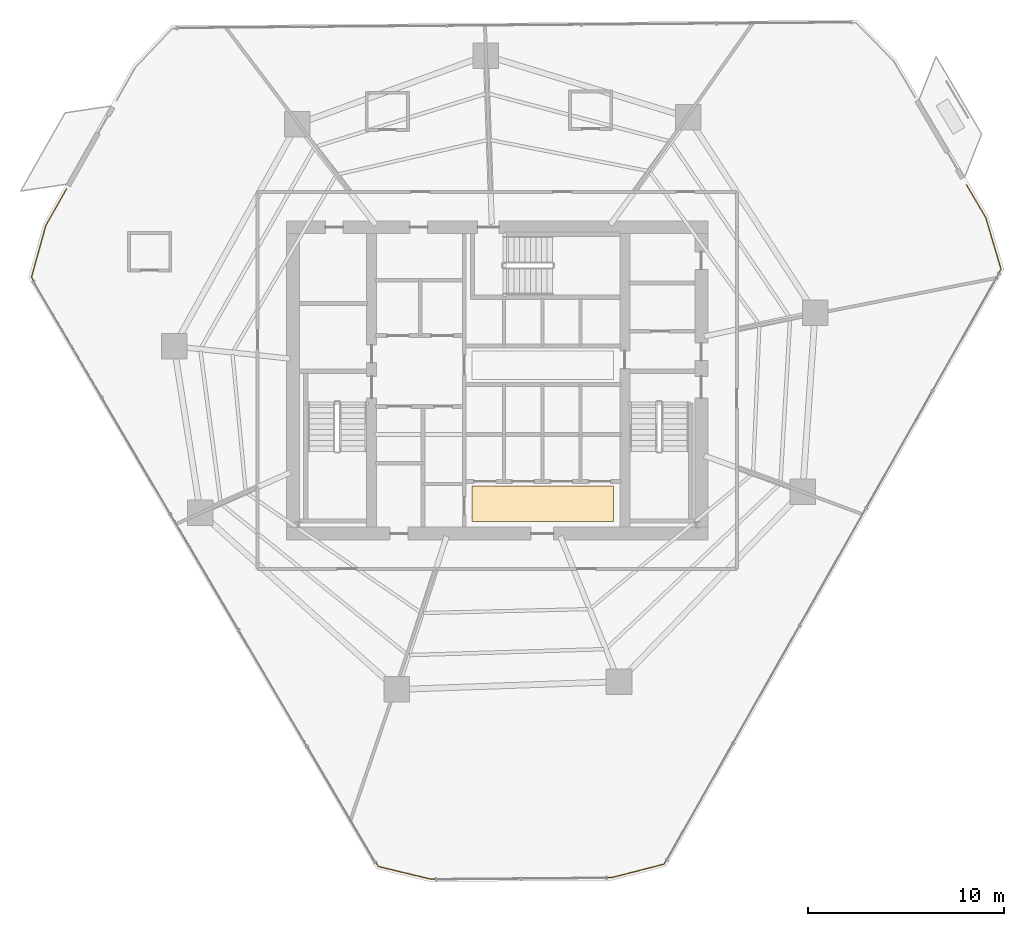
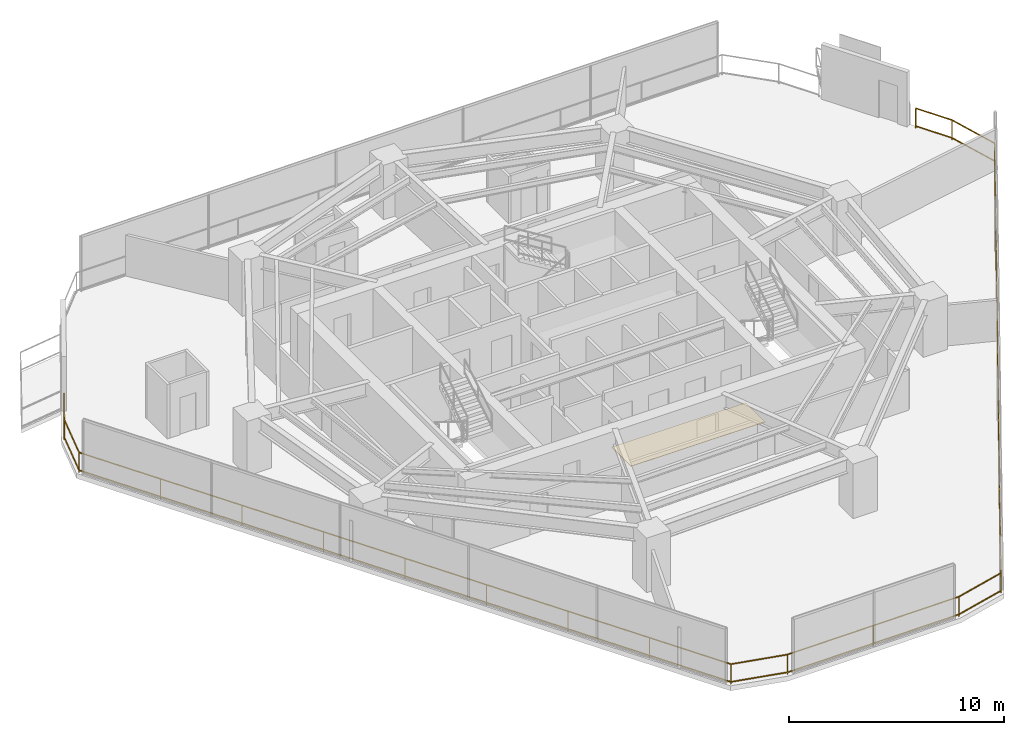
# One storey, part 29 of 31: 1 covering, 1 railing.
"""IFC4 building model written with IfcOpenShell, lengths in metres."""

import ifcopenshell
import ifcopenshell.guid

model = None  # the IFC model being written
_history = None  # IfcOwnerHistory: only IFC2X3 demands one
_inside = {}  # id of a spatial element -> (the spatial element, [elements in it])
_under = {}  # id of a project, library or spatial element -> (it, [spatial elements below it])
_declared = {}  # id of a project -> (the project, [libraries it declares])
_typed = {}  # id of a type object -> (the type object, [elements of that type])
_made_of = {}  # id of a material, layer set ... -> (it, [elements and type objects made of it])


def new_model(schema):
    """Start an empty IFC model of exactly this schema.

    Asked for "IFC4X3", IfcOpenShell would pick the latest addendum, in which some entities
    have other attributes; the version numbers below select the first issue.
    IFC2X3 requires an IfcOwnerHistory on every rooted entity: one is made here for all.
    """
    global model, _history
    if schema == "IFC4X3":
        model = ifcopenshell.file(schema_version=(4, 3, 0, 0))
    else:
        model = ifcopenshell.file(schema=schema)
    _inside.clear()
    _under.clear()
    _declared.clear()
    _typed.clear()
    _made_of.clear()
    _history = None
    if model.schema == "IFC2X3":
        org = make("IfcOrganization", Name="unknown")
        user = make(
            "IfcPersonAndOrganization",
            ThePerson=make("IfcPerson", FamilyName="unknown"),
            TheOrganization=org,
        )
        app = make(
            "IfcApplication",
            ApplicationDeveloper=org,
            Version="unknown",
            ApplicationFullName="unknown",
            ApplicationIdentifier="unknown",
        )
        _history = make(
            "IfcOwnerHistory",
            OwningUser=user,
            OwningApplication=app,
            ChangeAction="ADDED",
            CreationDate=0,
        )
    return model


def make(cls, **values):
    """One entity of the class cls with the attributes given. An attribute that is None is left unset."""
    return model.create_entity(
        cls, **{name: value for name, value in values.items() if value is not None}
    )


def rooted(cls, **values):
    """An entity with a GlobalId (a new one), such as an element, a storey or a relation."""
    return make(cls, GlobalId=ifcopenshell.guid.new(), OwnerHistory=_history, **values)


def si_unit(unit_type, name, prefix=None):
    """IfcSIUnit, for example si_unit("LENGTHUNIT", "METRE", prefix="MILLI")."""
    return make("IfcSIUnit", UnitType=unit_type, Prefix=prefix, Name=name)


def assignment(units):
    """IfcUnitAssignment: the units of a project."""
    return None if units is None else make("IfcUnitAssignment", Units=units)


def point(xyz):
    """IfcCartesianPoint."""
    return None if xyz is None else make("IfcCartesianPoint", Coordinates=xyz)


def direction(xyz):
    """IfcDirection."""
    return None if xyz is None else make("IfcDirection", DirectionRatios=xyz)


def frame(location, z_axis=None, x_axis=None):
    """IfcAxis2Placement3D, a coordinate frame: its origin and axes. An axis left out is left unset."""
    return make(
        "IfcAxis2Placement3D",
        Location=point(location),
        Axis=direction(z_axis),
        RefDirection=direction(x_axis),
    )


def frame_2d(location, x_axis=None):
    """IfcAxis2Placement2D, a coordinate frame in the plane: its origin and x axis."""
    return make(
        "IfcAxis2Placement2D", Location=point(location), RefDirection=direction(x_axis)
    )


def origin():
    """The frame at (0, 0, 0) with its axes left unset."""
    return frame((0.0, 0.0, 0.0))


def origin_2d():
    """The frame at (0, 0) in the plane with its x axis left unset."""
    return frame_2d((0.0, 0.0))


def place(relative_to, where):
    """IfcLocalPlacement: puts the frame where relative to a parent placement (None: the world)."""
    return make(
        "IfcLocalPlacement", PlacementRelTo=relative_to, RelativePlacement=where
    )


def context(
    kind, dimensions, precision=None, world=None, true_north=None, identifier=None
):
    """IfcGeometricRepresentationContext, for example the 3D "Model" context."""
    return make(
        "IfcGeometricRepresentationContext",
        ContextIdentifier=identifier,
        ContextType=kind,
        CoordinateSpaceDimension=dimensions,
        Precision=precision,
        WorldCoordinateSystem=world,
        TrueNorth=true_north,
    )


def subcontext(parent, identifier, kind, view, scale=None):
    """IfcGeometricRepresentationSubContext, for example "Body" below "Model"."""
    return make(
        "IfcGeometricRepresentationSubContext",
        ContextIdentifier=identifier,
        ContextType=kind,
        ParentContext=parent,
        TargetScale=scale,
        TargetView=view,
    )


def project(units=None, contexts=None):
    """IfcProject with its units and contexts."""
    return rooted(
        "IfcProject",
        Name="project",
        RepresentationContexts=contexts,
        UnitsInContext=assignment(units),
    )


def spatial(cls, under=None, at=None, **own):
    """A site, building, storey or space (cls), placed at a placement, below another one or the project."""
    s = rooted(cls, ObjectPlacement=at, **own)
    if under is not None:
        _under.setdefault(under.id(), (under, []))[1].append(s)
    return s


def profile(cls, at=None, kind="AREA", **sizes):
    """A parametric profile (cls). Its sizes go by their IFC names, for example OverallWidth=200.0."""
    return make(cls, ProfileType=kind, Position=at, **sizes)


def rectangle(**sizes):
    """IfcRectangleProfileDef."""
    return profile("IfcRectangleProfileDef", **sizes)


def extrude(swept, where, along, depth):
    """IfcExtrudedAreaSolid: the profile swept, set in the frame where, extruded along a direction by depth."""
    return make(
        "IfcExtrudedAreaSolid",
        SweptArea=swept,
        Position=where,
        ExtrudedDirection=direction(along),
        Depth=depth,
    )


def shape(context_of_items, identifier, shape_type, items):
    """IfcShapeRepresentation: the items that make up one representation, for example the "Body"."""
    return make(
        "IfcShapeRepresentation",
        ContextOfItems=context_of_items,
        RepresentationIdentifier=identifier,
        RepresentationType=shape_type,
        Items=items,
    )


def material(Name=None, Category=None):
    """IfcMaterial."""
    return make("IfcMaterial", Name=Name, Category=Category)


def layer(
    of_material, thickness, ventilated=None, Name=None, Category=None, Priority=None
):
    """IfcMaterialLayer: one layer of a wall or slab, of a material (None: an air gap)."""
    return make(
        "IfcMaterialLayer",
        Material=of_material,
        LayerThickness=thickness,
        IsVentilated=ventilated,
        Name=Name,
        Category=Category,
        Priority=Priority,
    )


def layer_set(layers, Name=None):
    """IfcMaterialLayerSet."""
    return make("IfcMaterialLayerSet", MaterialLayers=layers, LayerSetName=Name)


def made_of(thing, what):
    """Note that an element or type object is made of a material, layer set ...; save() writes the relation."""
    if what is not None:
        _made_of.setdefault(what.id(), (what, []))[1].append(thing)
    return thing


def type_object(cls, material=None, **own):
    """A type object (cls), such as IfcWallType, which elements share."""
    return made_of(rooted(cls, **own), material)


def element(
    cls,
    number,
    at=None,
    inside=None,
    cuts=None,
    type_object=None,
    material=None,
    context=None,
    identifier="Body",
    shape_type=None,
    held_by="IfcProductDefinitionShape",
    body=None,
    shapes=None,
    **own,
):
    """One element of the class cls, such as IfcWall. Its Tag is "e" and its number.

    at: its placement. inside: the storey or other place that contains it. cuts: it is an
    opening in that element (IfcRelVoidsElement). A single representation is given by context,
    identifier, shape_type and body (its items); several are given by shapes. held_by: the class
    of the entity that holds the representations. save() writes the other relations.
    """
    e = rooted(cls, Tag="e%d" % number, ObjectPlacement=at, **own)
    if body is not None:
        shapes = [shape(context, identifier, shape_type, body)]
    if shapes is not None:
        e.Representation = make(held_by, Representations=shapes)
    if inside is not None:
        _inside.setdefault(inside.id(), (inside, []))[1].append(e)
    if cuts is not None:
        rooted(
            "IfcRelVoidsElement", RelatingBuildingElement=cuts, RelatedOpeningElement=e
        )
    if type_object is not None:
        _typed.setdefault(type_object.id(), (type_object, []))[1].append(e)
    return made_of(e, material)


def aggregate(whole, parts):
    """IfcRelAggregates: a whole, such as a stair, and the parts it consists of."""
    return rooted("IfcRelAggregates", RelatingObject=whole, RelatedObjects=parts)


def save(model, path):
    """Write the relations noted so far, then the file.

    IfcRelAggregates (storeys below a building ...), IfcRelContainedInSpatialStructure (elements
    in a storey), IfcRelDefinesByType, IfcRelAssociatesMaterial and IfcRelDeclares: one each for
    every whole, place, type object, material and project.
    """
    for whole, parts in _under.values():
        aggregate(whole, parts)
    for where, things in _inside.values():
        rooted(
            "IfcRelContainedInSpatialStructure",
            RelatedElements=things,
            RelatingStructure=where,
        )
    for kind, things in _typed.values():
        rooted("IfcRelDefinesByType", RelatedObjects=things, RelatingType=kind)
    for what, things in _made_of.values():
        rooted("IfcRelAssociatesMaterial", RelatedObjects=things, RelatingMaterial=what)
    for by, libraries in _declared.values():
        rooted("IfcRelDeclares", RelatingContext=by, RelatedDefinitions=libraries)
    model.write(path)


model = new_model("IFC4")

# Units and contexts
model_context = context("Model", 3, precision=1e-05, world=origin(), true_north=direction((0.0, 1.0)))
body_context = subcontext(model_context, "Body", "Model", "MODEL_VIEW")
ifc_project = project(units=[si_unit("LENGTHUNIT", "METRE"), si_unit("AREAUNIT", "SQUARE_METRE"), si_unit("VOLUMEUNIT", "CUBIC_METRE"), si_unit("PLANEANGLEUNIT", "RADIAN"), si_unit("MASSUNIT", "GRAM", prefix="KILO")], contexts=[model_context])

# Site, building, storey
site_placement = place(None, origin())
site = spatial("IfcSite", under=ifc_project, at=site_placement, CompositionType="ELEMENT")
building_placement = place(site_placement, origin())
building = spatial("IfcBuilding", under=site, at=building_placement, Name="Qarnah Convention Tower", CompositionType="ELEMENT")
storey_placement = place(building_placement, frame((0.0, 0.0, 68.39990234375)))
storey = spatial("IfcBuildingStorey", under=building, at=storey_placement, Name="L17", CompositionType="ELEMENT", Elevation=68.39990234375)

# Covering
ifc_material_1 = material(Name="Porcelain stone floor tile", Category="masonry")
ifc_layer = layer(ifc_material_1, 0.02001953125)
ifc_layer_set = layer_set([ifc_layer], Name="Porcelain stone floor tile")
covering_type = type_object("IfcCoveringType", Name="COV-FLOOR-20", PredefinedType="FLOORING", material=ifc_layer_set)
covering_placement = place(storey_placement, frame((39.52001953125, 20.1201171875, 0.0), z_axis=(0.0, 0.0, 1.0), x_axis=(1.0, 0.0, 0.0)))
element("IfcCovering", 1, at=covering_placement, inside=storey, type_object=covering_type, Name="L17 lift lobby porcelain stone flooring", PredefinedType="FLOORING", context=body_context, shape_type="SweptSolid", body=[
    extrude(rectangle(XDim=7.199951171875, YDim=1.800048828125, at=origin_2d()), origin(), (0.0, 0.0, 1.0), 0.02001953125),
])

# Railing
ifc_material_2 = material(Name="Black anodised aluminium", Category="aluminium")
railing_type = type_object("IfcRailingType", Name="RL-EXT-GUARD-1150", PredefinedType="GUARDRAIL", material=ifc_material_2)
railing_placement = place(storey_placement, frame((61.094970703125, 36.360107421875, 0.0)))
element("IfcRailing", 2, at=railing_placement, inside=storey, type_object=railing_type, Name="L17 slab-edge perimeter safety guard 02", PredefinedType="GUARDRAIL", context=body_context, shape_type="SweptSolid", body=[
    extrude(rectangle(XDim=0.048095703125, YDim=0.048095703125, at=origin_2d()), frame((0.0, 0.0, 1.1259765625), z_axis=(0.507196293941, -0.861830563053, 0.0), x_axis=(0.861830563053, 0.507196293941, 0.0)), (0.0, 0.0, 1.0), 1.93798828125),
    extrude(rectangle(XDim=0.048095703125, YDim=0.048095703125, at=origin_2d()), frame((0.0, 0.0, 0.1201171875), z_axis=(0.507196293941, -0.861830563053, 0.0), x_axis=(0.861830563053, 0.507196293941, 0.0)), (0.0, 0.0, 1.0), 1.93798828125),
    extrude(rectangle(XDim=0.048095703125, YDim=0.048095703125, at=origin_2d()), frame((0.98291015625, -1.670166015625, 1.1259765625), z_axis=(0.283569595926, -0.958951658983, 0.0), x_axis=(0.958951658983, 0.283569595926, 0.0)), (0.0, 0.0, 1.0), 2.740478515625),
    extrude(rectangle(XDim=0.048095703125, YDim=0.048095703125, at=origin_2d()), frame((0.98291015625, -1.670166015625, 0.1201171875), z_axis=(0.283569595926, -0.958951658983, 0.0), x_axis=(0.958951658983, 0.283569595926, 0.0)), (0.0, 0.0, 1.0), 2.740478515625),
    extrude(rectangle(XDim=0.048095703125, YDim=0.048095703125, at=origin_2d()), frame((1.760009765625, -4.298095703125, 1.1259765625), z_axis=(-0.492749623732, -0.87017113737, 0.0), x_axis=(0.87017113737, -0.492749623732, 0.0)), (0.0, 0.0, 1.0), 34.81494140625),
    extrude(rectangle(XDim=0.048095703125, YDim=0.048095703125, at=origin_2d()), frame((1.760009765625, -4.298095703125, 0.1201171875), z_axis=(-0.492749623732, -0.87017113737, 0.0), x_axis=(0.87017113737, -0.492749623732, 0.0)), (0.0, 0.0, 1.0), 34.81494140625),
    extrude(rectangle(XDim=0.048095703125, YDim=0.048095703125, at=origin_2d()), frame((-15.39501953125, -34.593017578125, 1.1259765625), z_axis=(-0.968214679448, -0.250120639894, 0.0), x_axis=(0.250120639894, -0.968214679448, 0.0)), (0.0, 0.0, 1.0), 2.739013671875),
    extrude(rectangle(XDim=0.048095703125, YDim=0.048095703125, at=origin_2d()), frame((-15.39501953125, -34.593017578125, 0.1201171875), z_axis=(-0.968214679448, -0.250120639894, 0.0), x_axis=(0.250120639894, -0.968214679448, 0.0)), (0.0, 0.0, 1.0), 2.739013671875),
    extrude(rectangle(XDim=0.048095703125, YDim=0.048095703125, at=origin_2d()), frame((-18.046875, -35.278076171875, 1.1259765625), z_axis=(-0.999964297226, -0.008450104973, 0.0), x_axis=(0.008450104973, -0.999964297226, 0.0)), (0.0, 0.0, 1.0), 9.245361328125),
    extrude(rectangle(XDim=0.048095703125, YDim=0.048095703125, at=origin_2d()), frame((-18.046875, -35.278076171875, 0.1201171875), z_axis=(-0.999964297226, -0.008450104973, 0.0), x_axis=(0.008450104973, -0.999964297226, 0.0)), (0.0, 0.0, 1.0), 9.245361328125),
    extrude(rectangle(XDim=0.048095703125, YDim=0.048095703125, at=origin_2d()), frame((-27.2919921875, -35.356201171875, 1.1259765625), z_axis=(-0.972243157473, 0.233972739326, 0.0), x_axis=(-0.233972739326, -0.972243157473, 0.0)), (0.0, 0.0, 1.0), 2.740234375),
    extrude(rectangle(XDim=0.048095703125, YDim=0.048095703125, at=origin_2d()), frame((-27.2919921875, -35.356201171875, 0.1201171875), z_axis=(-0.972243157473, 0.233972739326, 0.0), x_axis=(-0.233972739326, -0.972243157473, 0.0)), (0.0, 0.0, 1.0), 2.740234375),
    extrude(rectangle(XDim=0.048095703125, YDim=0.048095703125, at=origin_2d()), frame((-29.9560546875, -34.715087890625, 1.1259765625), z_axis=(-0.507236783647, 0.861806733157, 0.0), x_axis=(-0.861806733157, -0.507236783647, 0.0)), (0.0, 0.0, 1.0), 34.81396484375),
    extrude(rectangle(XDim=0.048095703125, YDim=0.048095703125, at=origin_2d()), frame((-29.9560546875, -34.715087890625, 0.1201171875), z_axis=(-0.507236783647, 0.861806733157, 0.0), x_axis=(-0.861806733157, -0.507236783647, 0.0)), (0.0, 0.0, 1.0), 34.81396484375),
    extrude(rectangle(XDim=0.048095703125, YDim=0.048095703125, at=origin_2d()), frame((-47.614990234375, -4.712158203125, 1.1259765625), z_axis=(0.267064916432, 0.963678541014, 0.0), x_axis=(-0.963678541014, 0.267064916432, 0.0)), (0.0, 0.0, 1.0), 2.74072265625),
    extrude(rectangle(XDim=0.048095703125, YDim=0.048095703125, at=origin_2d()), frame((-47.614990234375, -4.712158203125, 0.1201171875), z_axis=(0.267064916432, 0.963678541014, 0.0), x_axis=(-0.963678541014, 0.267064916432, 0.0)), (0.0, 0.0, 1.0), 2.74072265625),
    extrude(rectangle(XDim=0.048095703125, YDim=0.048095703125, at=origin_2d()), frame((-46.883056640625, -2.071044921875, 1.1259765625), z_axis=(0.493026909977, 0.870014060828, 0.0), x_axis=(-0.870014060828, 0.493026909977, 0.0)), (0.0, 0.0, 1.0), 2.148193359375),
    extrude(rectangle(XDim=0.048095703125, YDim=0.048095703125, at=origin_2d()), frame((-46.883056640625, -2.071044921875, 0.1201171875), z_axis=(0.493026909977, 0.870014060828, 0.0), x_axis=(-0.870014060828, 0.493026909977, 0.0)), (0.0, 0.0, 1.0), 2.148193359375),
    extrude(rectangle(XDim=0.0419921875, YDim=0.0419921875, at=origin_2d()), origin(), (0.0, 0.0, 1.0), 1.101806640625),
    extrude(rectangle(XDim=0.0419921875, YDim=0.0419921875, at=origin_2d()), frame((0.98291015625, -1.670166015625, 0.0)), (0.0, 0.0, 1.0), 1.101806640625),
    extrude(rectangle(XDim=0.0419921875, YDim=0.0419921875, at=origin_2d()), frame((1.760009765625, -4.298095703125, 0.0)), (0.0, 0.0, 1.0), 1.101806640625),
    extrude(rectangle(XDim=0.0419921875, YDim=0.0419921875, at=origin_2d()), frame((-0.38427734375, -8.0849609375, 0.0)), (0.0, 0.0, 1.0), 1.101806640625),
    extrude(rectangle(XDim=0.0419921875, YDim=0.0419921875, at=origin_2d()), frame((-2.52880859375, -11.871826171875, 0.0)), (0.0, 0.0, 1.0), 1.101806640625),
    extrude(rectangle(XDim=0.0419921875, YDim=0.0419921875, at=origin_2d()), frame((-4.673095703125, -15.65869140625, 0.0)), (0.0, 0.0, 1.0), 1.101806640625),
    extrude(rectangle(XDim=0.0419921875, YDim=0.0419921875, at=origin_2d()), frame((-6.8173828125, -19.445556640625, 0.0)), (0.0, 0.0, 1.0), 1.101806640625),
    extrude(rectangle(XDim=0.0419921875, YDim=0.0419921875, at=origin_2d()), frame((-8.9619140625, -23.232421875, 0.0)), (0.0, 0.0, 1.0), 1.101806640625),
    extrude(rectangle(XDim=0.0419921875, YDim=0.0419921875, at=origin_2d()), frame((-11.106201171875, -27.019287109375, 0.0)), (0.0, 0.0, 1.0), 1.101806640625),
    extrude(rectangle(XDim=0.0419921875, YDim=0.0419921875, at=origin_2d()), frame((-13.250732421875, -30.80615234375, 0.0)), (0.0, 0.0, 1.0), 1.101806640625),
    extrude(rectangle(XDim=0.0419921875, YDim=0.0419921875, at=origin_2d()), frame((-15.39501953125, -34.593017578125, 0.0)), (0.0, 0.0, 1.0), 1.101806640625),
    extrude(rectangle(XDim=0.0419921875, YDim=0.0419921875, at=origin_2d()), frame((-18.046875, -35.278076171875, 0.0)), (0.0, 0.0, 1.0), 1.101806640625),
    extrude(rectangle(XDim=0.0419921875, YDim=0.0419921875, at=origin_2d()), frame((-22.66943359375, -35.317138671875, 0.0)), (0.0, 0.0, 1.0), 1.101806640625),
    extrude(rectangle(XDim=0.0419921875, YDim=0.0419921875, at=origin_2d()), frame((-27.2919921875, -35.356201171875, 0.0)), (0.0, 0.0, 1.0), 1.101806640625),
    extrude(rectangle(XDim=0.0419921875, YDim=0.0419921875, at=origin_2d()), frame((-29.9560546875, -34.715087890625, 0.0)), (0.0, 0.0, 1.0), 1.101806640625),
    extrude(rectangle(XDim=0.0419921875, YDim=0.0419921875, at=origin_2d()), frame((-32.163330078125, -30.96484375, 0.0)), (0.0, 0.0, 1.0), 1.101806640625),
    extrude(rectangle(XDim=0.0419921875, YDim=0.0419921875, at=origin_2d()), frame((-34.370849609375, -27.21435546875, 0.0)), (0.0, 0.0, 1.0), 1.101806640625),
    extrude(rectangle(XDim=0.0419921875, YDim=0.0419921875, at=origin_2d()), frame((-36.578125, -23.4638671875, 0.0)), (0.0, 0.0, 1.0), 1.101806640625),
    extrude(rectangle(XDim=0.0419921875, YDim=0.0419921875, at=origin_2d()), frame((-38.78564453125, -19.713623046875, 0.0)), (0.0, 0.0, 1.0), 1.101806640625),
    extrude(rectangle(XDim=0.0419921875, YDim=0.0419921875, at=origin_2d()), frame((-40.992919921875, -15.96337890625, 0.0)), (0.0, 0.0, 1.0), 1.101806640625),
    extrude(rectangle(XDim=0.0419921875, YDim=0.0419921875, at=origin_2d()), frame((-43.2001953125, -12.212890625, 0.0)), (0.0, 0.0, 1.0), 1.101806640625),
    extrude(rectangle(XDim=0.0419921875, YDim=0.0419921875, at=origin_2d()), frame((-45.40771484375, -8.46240234375, 0.0)), (0.0, 0.0, 1.0), 1.101806640625),
    extrude(rectangle(XDim=0.0419921875, YDim=0.0419921875, at=origin_2d()), frame((-47.614990234375, -4.712158203125, 0.0)), (0.0, 0.0, 1.0), 1.101806640625),
    extrude(rectangle(XDim=0.0419921875, YDim=0.0419921875, at=origin_2d()), frame((-46.883056640625, -2.071044921875, 0.0)), (0.0, 0.0, 1.0), 1.101806640625),
    extrude(rectangle(XDim=0.0419921875, YDim=0.0419921875, at=origin_2d()), frame((-45.823974609375, -0.2021484375, 0.0)), (0.0, 0.0, 1.0), 1.101806640625),
])

save(model, "model.ifc")
